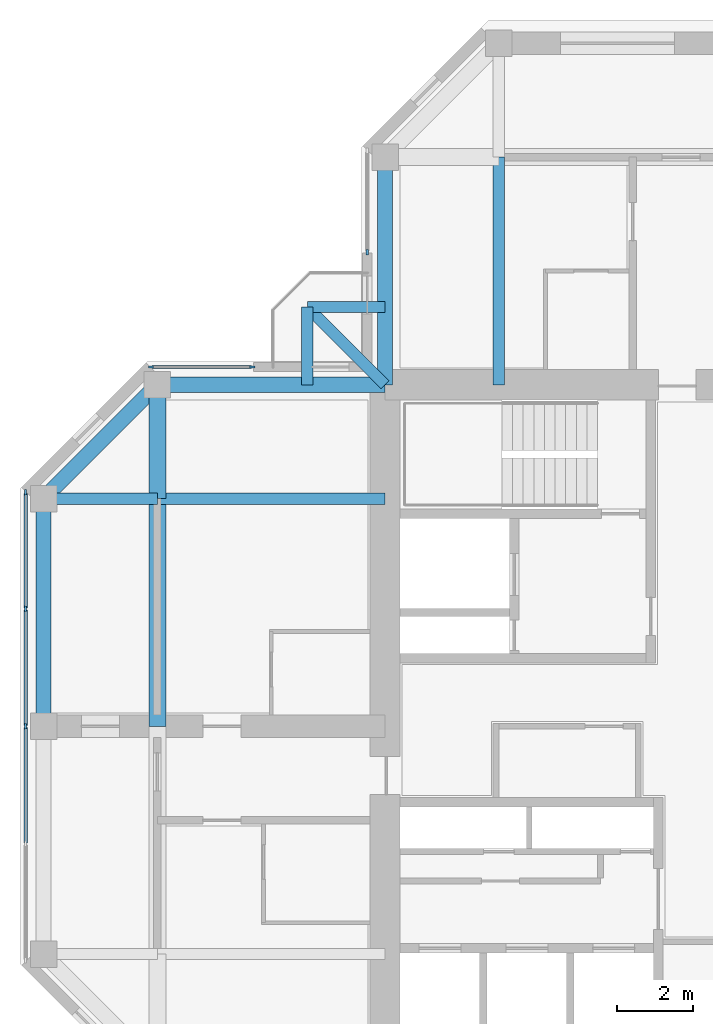
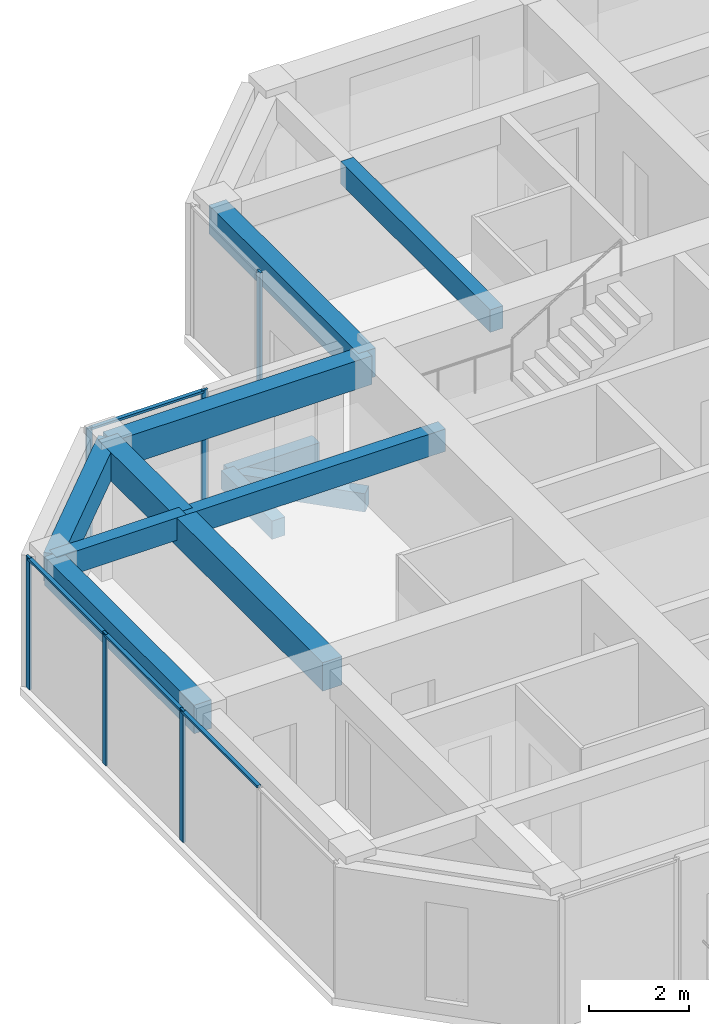
# One storey, part 4 of 13: 12 beams, 10 members, 3 elements without a shape of their own.
"""IFC4 building model written with IfcOpenShell, lengths in metres."""

from ifc_helpers import new_model, si_unit, direction, frame, origin, origin_2d, place, context, subcontext, project, spatial, rectangle, extrude, material, material_profile, profile_set, type_object, element, aggregate, save


model = new_model("IFC4")

# Units and contexts
model_context = context("Model", 3, precision=1e-05, world=origin(), true_north=direction((0.0, 1.0)))
body_context = subcontext(model_context, "Body", "Model", "MODEL_VIEW")
ifc_project = project(units=[si_unit("LENGTHUNIT", "METRE"), si_unit("AREAUNIT", "SQUARE_METRE"), si_unit("VOLUMEUNIT", "CUBIC_METRE"), si_unit("PLANEANGLEUNIT", "RADIAN"), si_unit("MASSUNIT", "GRAM", prefix="KILO")], contexts=[model_context])

# Site, building, storey
site_placement = place(None, origin())
site = spatial("IfcSite", under=ifc_project, at=site_placement, CompositionType="ELEMENT")
building_placement = place(site_placement, origin())
building = spatial("IfcBuilding", under=site, at=building_placement, Name="Torre Cruceta", CompositionType="ELEMENT")
storey_placement = place(building_placement, frame((0.0, 0.0, 274.699951171875)))
storey = spatial("IfcBuildingStorey", under=building, at=storey_placement, Name="L71", CompositionType="ELEMENT", Elevation=274.699951171875)

# Beams
ifc_material_1 = material(Name="Concrete G60 (fck 60 MPa)", Category="concrete")
ifc_material_profile_1 = material_profile(ifc_material_1, rectangle(XDim=0.300048828125, YDim=0.449951171875, at=origin_2d()), Name="RC 300X450")
ifc_profile_set_1 = profile_set([ifc_material_profile_1], Name="Concrete G60 (fck 60 MPa)")
beam_type_1 = type_object("IfcBeamType", Name="BALCONY CANTILEVER BEAM RC 300X450", PredefinedType="BEAM", material=ifc_profile_set_1)
beam_1_placement = place(storey_placement, frame((-9.0, 9.0, -0.405029296875), z_axis=(-0.707106781187, 0.707106781187, 0.0), x_axis=(-0.707106781187, -0.707106781187, 0.0)))
element("IfcBeam", 1, at=beam_1_placement, inside=storey, type_object=beam_type_1, Name="BB1 balcony beam L71 N", PredefinedType="BEAM", context=body_context, shape_type="SweptSolid", body=[
    extrude(rectangle(XDim=0.300048828125, YDim=0.449951171875, at=origin_2d()), origin(), (0.0, 0.0, 1.0), 2.89990234375),
])
for number, where, z_axis, x_axis, name in (
    (2, (-11.050537109375, 9.0, -0.405029296875), (0.0, 1.0, 0.0), (-1.0, 0.0, 0.0), "BB1 balcony edge beam L71 N-X"),
    (3, (-9.0, 11.050537109375, -0.405029296875), (-1.0, 0.0, 0.0), (0.0, -1.0, 0.0), "BB1 balcony edge beam L71 N-Y"),
):
    element("IfcBeam", number, at=place(storey_placement, frame(where, z_axis=z_axis, x_axis=x_axis)), inside=storey, type_object=beam_type_1, Name=name, PredefinedType="BEAM", context=body_context, shape_type="SweptSolid", body=[
        extrude(rectangle(XDim=0.300048828125, YDim=0.449951171875, at=origin_2d()), origin(), (0.0, 0.0, 1.0), 2.050537109375),
    ])
ifc_material_2 = material(Name="Concrete G60 (fck 60 MPa)", Category="concrete")
ifc_material_profile_2 = material_profile(ifc_material_2, rectangle(XDim=0.300048828125, YDim=0.550048828125, at=origin_2d()), Name="RC 300X550")
ifc_profile_set_2 = profile_set([ifc_material_profile_2], Name="Concrete G60 (fck 60 MPa)")
beam_type_2 = type_object("IfcBeamType", Name="COLUMN LINE BEAM RC 300X550", PredefinedType="BEAM", material=ifc_profile_set_2)
for number, where, z_axis, x_axis, name in (
    (4, (-6.0, 9.0, 2.945068359375), (0.0, 1.0, 0.0), (-1.0, 0.0, 0.0), "LB10 L71 N col+ 1"),
    (5, (-9.0, 6.0, 2.945068359375), (-1.0, 0.0, 0.0), (0.0, -1.0, 0.0), "LB10 L71 W col- 1"),
):
    element("IfcBeam", number, at=place(storey_placement, frame(where, z_axis=z_axis, x_axis=x_axis)), inside=storey, type_object=beam_type_2, Name=name, PredefinedType="BEAM", context=body_context, shape_type="SweptSolid", body=[
        extrude(rectangle(XDim=0.300048828125, YDim=0.550048828125, at=origin_2d()), origin(), (0.0, 0.0, 1.0), 6.0),
    ])
beam_2_placement = place(storey_placement, frame((-15.0, 6.0, 2.945068359375), z_axis=(-1.0, 0.0, 0.0), x_axis=(0.0, -1.0, 0.0)))
element("IfcBeam", 6, at=beam_2_placement, inside=storey, type_object=beam_type_2, Name="LB10 L71 W col- 2", PredefinedType="BEAM", context=body_context, shape_type="SweptSolid", body=[
    extrude(rectangle(XDim=0.300048828125, YDim=0.550048828125, at=origin_2d()), origin(), (0.0, 0.0, 1.0), 3.0),
])
ifc_material_3 = material(Name="Concrete G60 (fck 60 MPa)", Category="concrete")
ifc_material_profile_3 = material_profile(ifc_material_3, rectangle(XDim=0.449951171875, YDim=0.699951171875, at=origin_2d()), Name="RC 450X700")
ifc_profile_set_3 = profile_set([ifc_material_profile_3], Name="Concrete G60 (fck 60 MPa)")
beam_type_3 = type_object("IfcBeamType", Name="CROSS BEAM RC 450X700", PredefinedType="BEAM", material=ifc_profile_set_3)
beam_3_placement = place(storey_placement, frame((-15.0, 9.0, 2.8701171875), z_axis=(0.0, -1.0, 0.0), x_axis=(1.0, 0.0, 0.0)))
element("IfcBeam", 7, at=beam_3_placement, inside=storey, type_object=beam_type_3, Name="GB8 L71 W cross15 1", PredefinedType="BEAM", context=body_context, shape_type="SweptSolid", body=[
    extrude(rectangle(XDim=0.449951171875, YDim=0.699951171875, at=origin_2d()), origin(), (0.0, 0.0, 1.0), 3.0),
])
beam_4_placement = place(storey_placement, frame((-15.0, 6.0, 2.8701171875), z_axis=(0.0, -1.0, 0.0), x_axis=(1.0, 0.0, 0.0)))
element("IfcBeam", 8, at=beam_4_placement, inside=storey, type_object=beam_type_3, Name="GB8 L71 W cross15 2", PredefinedType="BEAM", context=body_context, shape_type="SweptSolid", body=[
    extrude(rectangle(XDim=0.449951171875, YDim=0.699951171875, at=origin_2d()), origin(), (0.0, 0.0, 1.0), 6.0),
])

# Curtain wall, member
ifc_material_4 = material(Name="Aluminium unitised curtain wall", Category="aluminium")
curtain_wall_type = type_object("IfcCurtainWallType", Name="CURTAIN WALL CW-E CO-LIVING TOP", PredefinedType="USERDEFINED", material=ifc_material_4)
curtain_wall_1_placement = place(storey_placement, origin())
curtain_wall_1 = element("IfcCurtainWall", 9, at=curtain_wall_1_placement, inside=storey, type_object=curtain_wall_type, Name="CW-E L71 N side 09", ObjectType="UNITISED", PredefinedType="USERDEFINED")
ifc_material_5 = material(Name="Aluminium mullion", Category="aluminium")
ifc_material_profile_4 = material_profile(ifc_material_5, rectangle(XDim=0.054931640625, YDim=0.139892578125, at=origin_2d()), Name="AL 55X140")
ifc_profile_set_4 = profile_set([ifc_material_profile_4], Name="Aluminium mullion")
member_type_1 = type_object("IfcMemberType", Name="CW-E MULLION 55X140", PredefinedType="MULLION", material=ifc_profile_set_4)
member_1_placement = place(storey_placement, frame((-9.469970703125, 12.49755859375, 0.0), z_axis=(0.0, 0.0, 1.0), x_axis=(1.0, 0.0, 0.0)))
member_1 = element("IfcMember", 10, at=member_1_placement, type_object=member_type_1, Name="CW-E mullion 2", PredefinedType="MULLION", context=body_context, shape_type="SweptSolid", body=[
    extrude(rectangle(XDim=0.054931640625, YDim=0.139892578125, at=origin_2d()), origin(), (0.0, 0.0, 1.0), 3.219970703125),
])
aggregate(curtain_wall_1, [member_1])

# Curtain wall, members
curtain_wall_2_placement = place(storey_placement, origin())
curtain_wall_2 = element("IfcCurtainWall", 11, at=curtain_wall_2_placement, inside=storey, type_object=curtain_wall_type, Name="CW-E L71 W side 10", ObjectType="UNITISED", PredefinedType="USERDEFINED")
member_2_placement = place(storey_placement, frame((-12.49755859375, 9.469970703125, 0.0), z_axis=(0.0, 0.0, 1.0), x_axis=(0.0, -1.0, 0.0)))
member_2 = element("IfcMember", 12, at=member_2_placement, type_object=member_type_1, Name="CW-E mullion 1", PredefinedType="MULLION", context=body_context, shape_type="SweptSolid", body=[
    extrude(rectangle(XDim=0.054931640625, YDim=0.139892578125, at=origin_2d()), origin(), (0.0, 0.0, 1.0), 3.219970703125),
])
member_3_placement = place(storey_placement, frame((-15.167236328125, 9.469970703125, 0.0), z_axis=(0.0, 0.0, 1.0), x_axis=(0.0, -1.0, 0.0)))
member_3 = element("IfcMember", 13, at=member_3_placement, type_object=member_type_1, Name="CW-E mullion 2", PredefinedType="MULLION", context=body_context, shape_type="SweptSolid", body=[
    extrude(rectangle(XDim=0.054931640625, YDim=0.139892578125, at=origin_2d()), origin(), (0.0, 0.0, 1.0), 3.219970703125),
])

curtain_wall_3_placement = place(storey_placement, origin())
curtain_wall_3 = element("IfcCurtainWall", 14, at=curtain_wall_3_placement, inside=storey, type_object=curtain_wall_type, Name="CW-E L71 W tip 12", ObjectType="UNITISED", PredefinedType="USERDEFINED")
member_4_placement = place(storey_placement, frame((-18.469970703125, 6.167236328125, 0.0), z_axis=(0.0, 0.0, 1.0), x_axis=(1.0, 0.0, 0.0)))
member_4 = element("IfcMember", 15, at=member_4_placement, type_object=member_type_1, Name="CW-E mullion 1", PredefinedType="MULLION", context=body_context, shape_type="SweptSolid", body=[
    extrude(rectangle(XDim=0.054931640625, YDim=0.139892578125, at=origin_2d()), origin(), (0.0, 0.0, 1.0), 3.219970703125),
])
member_5_placement = place(storey_placement, frame((-18.469970703125, 3.097412109375, 0.0), z_axis=(0.0, 0.0, 1.0), x_axis=(1.0, 0.0, 0.0)))
member_5 = element("IfcMember", 16, at=member_5_placement, type_object=member_type_1, Name="CW-E mullion 2", PredefinedType="MULLION", context=body_context, shape_type="SweptSolid", body=[
    extrude(rectangle(XDim=0.054931640625, YDim=0.139892578125, at=origin_2d()), origin(), (0.0, 0.0, 1.0), 3.219970703125),
])
member_6_placement = place(storey_placement, frame((-18.469970703125, 0.0, 0.0), z_axis=(0.0, 0.0, 1.0), x_axis=(1.0, 0.0, 0.0)))
member_6 = element("IfcMember", 17, at=member_6_placement, type_object=member_type_1, Name="CW-E mullion 3", PredefinedType="MULLION", context=body_context, shape_type="SweptSolid", body=[
    extrude(rectangle(XDim=0.054931640625, YDim=0.139892578125, at=origin_2d()), origin(), (0.0, 0.0, 1.0), 3.219970703125),
])

# Member
ifc_material_6 = material(Name="Aluminium transom", Category="aluminium")
ifc_material_profile_5 = material_profile(ifc_material_6, rectangle(XDim=0.090087890625, YDim=0.054931640625, at=origin_2d()), Name="AL 90X55")
ifc_profile_set_5 = profile_set([ifc_material_profile_5], Name="Aluminium transom")
member_type_2 = type_object("IfcMemberType", Name="CW-E TRANSOM 55X90", PredefinedType="USERDEFINED", material=ifc_profile_set_5)
member_7_placement = place(storey_placement, frame((-12.52490234375, 9.469970703125, 3.192626953125), z_axis=(-1.0, 0.0, 0.0), x_axis=(0.0, -1.0, 0.0)))
member_7 = element("IfcMember", 18, at=member_7_placement, type_object=member_type_2, Name="CW-E transom 1", ObjectType="TRANSOM", PredefinedType="USERDEFINED", context=body_context, shape_type="SweptSolid", body=[
    extrude(rectangle(XDim=0.090087890625, YDim=0.054931640625, at=origin_2d()), origin(), (0.0, 0.0, 1.0), 2.61474609375),
])

aggregate(curtain_wall_2, [member_2, member_3, member_7])

member_8_placement = place(storey_placement, frame((-18.469970703125, 6.1396484375, 3.192626953125), z_axis=(0.0, -1.0, 0.0), x_axis=(1.0, 0.0, 0.0)))
member_8 = element("IfcMember", 19, at=member_8_placement, type_object=member_type_2, Name="CW-E transom 1", ObjectType="TRANSOM", PredefinedType="USERDEFINED", context=body_context, shape_type="SweptSolid", body=[
    extrude(rectangle(XDim=0.090087890625, YDim=0.054931640625, at=origin_2d()), origin(), (0.0, 0.0, 1.0), 3.014892578125),
])

member_9_placement = place(storey_placement, frame((-18.469970703125, 3.06982421875, 3.192626953125), z_axis=(0.0, -1.0, 0.0), x_axis=(1.0, 0.0, 0.0)))
member_9 = element("IfcMember", 20, at=member_9_placement, type_object=member_type_2, Name="CW-E transom 2", ObjectType="TRANSOM", PredefinedType="USERDEFINED", context=body_context, shape_type="SweptSolid", body=[
    extrude(rectangle(XDim=0.090087890625, YDim=0.054931640625, at=origin_2d()), origin(), (0.0, 0.0, 1.0), 3.042236328125),
])

member_10_placement = place(storey_placement, frame((-18.469970703125, -0.027587890625, 3.192626953125), z_axis=(0.0, -1.0, 0.0), x_axis=(1.0, 0.0, 0.0)))
member_10 = element("IfcMember", 21, at=member_10_placement, type_object=member_type_2, Name="CW-E transom 3", ObjectType="TRANSOM", PredefinedType="USERDEFINED", context=body_context, shape_type="SweptSolid", body=[
    extrude(rectangle(XDim=0.090087890625, YDim=0.054931640625, at=origin_2d()), origin(), (0.0, 0.0, 1.0), 3.042236328125),
])

aggregate(curtain_wall_3, [member_4, member_5, member_6, member_8, member_9, member_10])

# Beams
ifc_material_7 = material(Name="Concrete G60 (fck 60 MPa)", Category="concrete")
ifc_material_profile_6 = material_profile(ifc_material_7, rectangle(XDim=0.39990234375, YDim=0.699951171875, at=origin_2d()), Name="RC 400X700")
ifc_profile_set_6 = profile_set([ifc_material_profile_6], Name="Concrete G60 (fck 60 MPa)")
beam_type_4 = type_object("IfcBeamType", Name="SPANDREL BEAM RC 400X700", PredefinedType="SPANDREL", material=ifc_profile_set_6)
for number, where, z_axis, x_axis, name in (
    (22, (-9.0, 9.0, 2.8701171875), (0.0, 1.0, 0.0), (-1.0, 0.0, 0.0), "SB8 L71 N side+ 1"),
    (23, (-9.0, 9.0, 2.8701171875), (-1.0, 0.0, 0.0), (0.0, -1.0, 0.0), "SB8 L71 W side- 1"),
):
    element("IfcBeam", number, at=place(storey_placement, frame(where, z_axis=z_axis, x_axis=x_axis)), inside=storey, type_object=beam_type_4, Name=name, PredefinedType="SPANDREL", context=body_context, shape_type="SweptSolid", body=[
        extrude(rectangle(XDim=0.39990234375, YDim=0.699951171875, at=origin_2d()), origin(), (0.0, 0.0, 1.0), 6.0),
    ])
beam_5_placement = place(storey_placement, frame((-15.0, 9.0, 2.8701171875), z_axis=(-0.707106781187, -0.707106781187, 0.0), x_axis=(0.707106781187, -0.707106781187, 0.0)))
element("IfcBeam", 24, at=beam_5_placement, inside=storey, type_object=beam_type_4, Name="SB8 L71 W side- 2", PredefinedType="SPANDREL", context=body_context, shape_type="SweptSolid", body=[
    extrude(rectangle(XDim=0.39990234375, YDim=0.699951171875, at=origin_2d()), origin(), (0.0, 0.0, 1.0), 4.24267578125),
])
beam_6_placement = place(storey_placement, frame((-18.0, 6.0, 2.8701171875), z_axis=(0.0, -1.0, 0.0), x_axis=(1.0, 0.0, 0.0)))
element("IfcBeam", 25, at=beam_6_placement, inside=storey, type_object=beam_type_4, Name="SB8 L71 W tip 1", PredefinedType="SPANDREL", context=body_context, shape_type="SweptSolid", body=[
    extrude(rectangle(XDim=0.39990234375, YDim=0.699951171875, at=origin_2d()), origin(), (0.0, 0.0, 1.0), 6.0),
])

save(model, "model.ifc")
